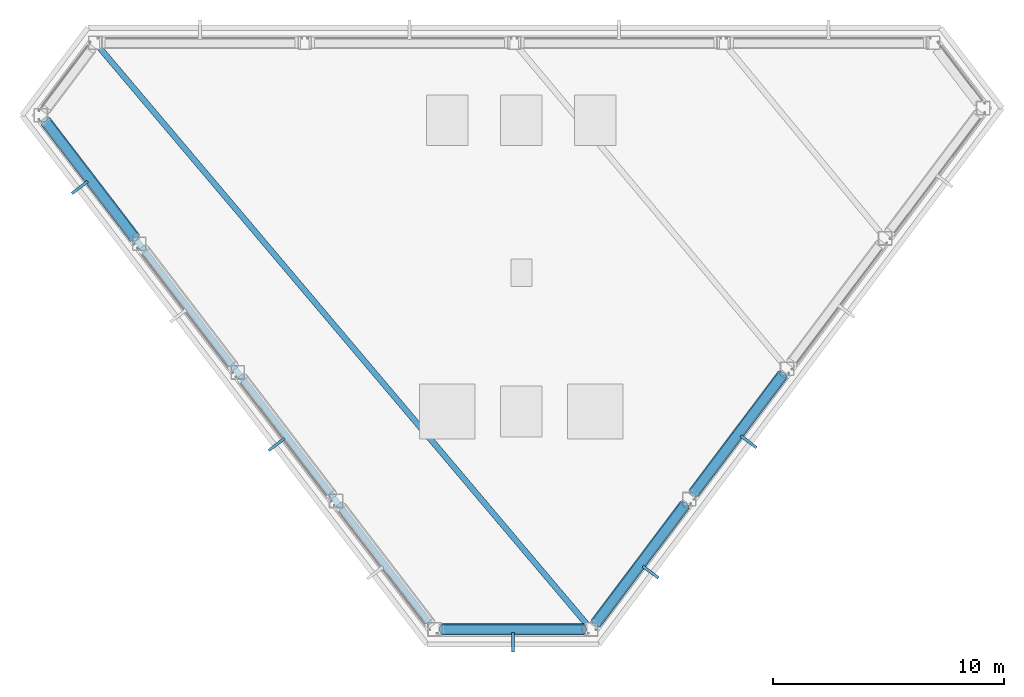
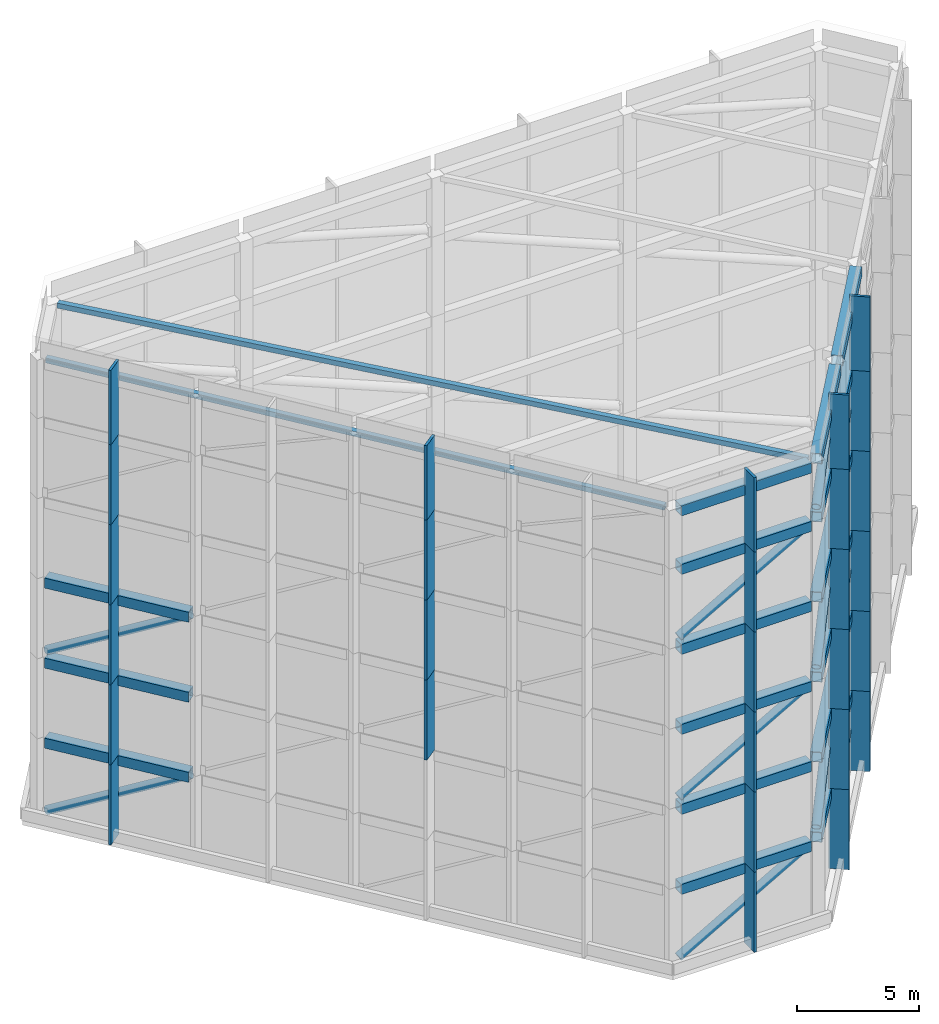
# One storey, part 2 of 6: 41 members, 21 beams, 1 element without a shape of its own.
"""IFC4 building model written with IfcOpenShell, lengths in metres."""

import ifcopenshell
import ifcopenshell.guid

model = None  # the IFC model being written
_history = None  # IfcOwnerHistory: only IFC2X3 demands one
_inside = {}  # id of a spatial element -> (the spatial element, [elements in it])
_under = {}  # id of a project, library or spatial element -> (it, [spatial elements below it])
_declared = {}  # id of a project -> (the project, [libraries it declares])
_typed = {}  # id of a type object -> (the type object, [elements of that type])
_made_of = {}  # id of a material, layer set ... -> (it, [elements and type objects made of it])


def new_model(schema):
    """Start an empty IFC model of exactly this schema.

    Asked for "IFC4X3", IfcOpenShell would pick the latest addendum, in which some entities
    have other attributes; the version numbers below select the first issue.
    IFC2X3 requires an IfcOwnerHistory on every rooted entity: one is made here for all.
    """
    global model, _history
    if schema == "IFC4X3":
        model = ifcopenshell.file(schema_version=(4, 3, 0, 0))
    else:
        model = ifcopenshell.file(schema=schema)
    _inside.clear()
    _under.clear()
    _declared.clear()
    _typed.clear()
    _made_of.clear()
    _history = None
    if model.schema == "IFC2X3":
        org = make("IfcOrganization", Name="unknown")
        user = make(
            "IfcPersonAndOrganization",
            ThePerson=make("IfcPerson", FamilyName="unknown"),
            TheOrganization=org,
        )
        app = make(
            "IfcApplication",
            ApplicationDeveloper=org,
            Version="unknown",
            ApplicationFullName="unknown",
            ApplicationIdentifier="unknown",
        )
        _history = make(
            "IfcOwnerHistory",
            OwningUser=user,
            OwningApplication=app,
            ChangeAction="ADDED",
            CreationDate=0,
        )
    return model


def make(cls, **values):
    """One entity of the class cls with the attributes given. An attribute that is None is left unset."""
    return model.create_entity(
        cls, **{name: value for name, value in values.items() if value is not None}
    )


def rooted(cls, **values):
    """An entity with a GlobalId (a new one), such as an element, a storey or a relation."""
    return make(cls, GlobalId=ifcopenshell.guid.new(), OwnerHistory=_history, **values)


def si_unit(unit_type, name, prefix=None):
    """IfcSIUnit, for example si_unit("LENGTHUNIT", "METRE", prefix="MILLI")."""
    return make("IfcSIUnit", UnitType=unit_type, Prefix=prefix, Name=name)


def assignment(units):
    """IfcUnitAssignment: the units of a project."""
    return None if units is None else make("IfcUnitAssignment", Units=units)


def point(xyz):
    """IfcCartesianPoint."""
    return None if xyz is None else make("IfcCartesianPoint", Coordinates=xyz)


def direction(xyz):
    """IfcDirection."""
    return None if xyz is None else make("IfcDirection", DirectionRatios=xyz)


def frame(location, z_axis=None, x_axis=None):
    """IfcAxis2Placement3D, a coordinate frame: its origin and axes. An axis left out is left unset."""
    return make(
        "IfcAxis2Placement3D",
        Location=point(location),
        Axis=direction(z_axis),
        RefDirection=direction(x_axis),
    )


def frame_2d(location, x_axis=None):
    """IfcAxis2Placement2D, a coordinate frame in the plane: its origin and x axis."""
    return make(
        "IfcAxis2Placement2D", Location=point(location), RefDirection=direction(x_axis)
    )


def origin():
    """The frame at (0, 0, 0) with its axes left unset."""
    return frame((0.0, 0.0, 0.0))


def origin_2d():
    """The frame at (0, 0) in the plane with its x axis left unset."""
    return frame_2d((0.0, 0.0))


def place(relative_to, where):
    """IfcLocalPlacement: puts the frame where relative to a parent placement (None: the world)."""
    return make(
        "IfcLocalPlacement", PlacementRelTo=relative_to, RelativePlacement=where
    )


def context(
    kind, dimensions, precision=None, world=None, true_north=None, identifier=None
):
    """IfcGeometricRepresentationContext, for example the 3D "Model" context."""
    return make(
        "IfcGeometricRepresentationContext",
        ContextIdentifier=identifier,
        ContextType=kind,
        CoordinateSpaceDimension=dimensions,
        Precision=precision,
        WorldCoordinateSystem=world,
        TrueNorth=true_north,
    )


def subcontext(parent, identifier, kind, view, scale=None):
    """IfcGeometricRepresentationSubContext, for example "Body" below "Model"."""
    return make(
        "IfcGeometricRepresentationSubContext",
        ContextIdentifier=identifier,
        ContextType=kind,
        ParentContext=parent,
        TargetScale=scale,
        TargetView=view,
    )


def project(units=None, contexts=None):
    """IfcProject with its units and contexts."""
    return rooted(
        "IfcProject",
        Name="project",
        RepresentationContexts=contexts,
        UnitsInContext=assignment(units),
    )


def spatial(cls, under=None, at=None, **own):
    """A site, building, storey or space (cls), placed at a placement, below another one or the project."""
    s = rooted(cls, ObjectPlacement=at, **own)
    if under is not None:
        _under.setdefault(under.id(), (under, []))[1].append(s)
    return s


def profile(cls, at=None, kind="AREA", **sizes):
    """A parametric profile (cls). Its sizes go by their IFC names, for example OverallWidth=200.0."""
    return make(cls, ProfileType=kind, Position=at, **sizes)


def rectangle(**sizes):
    """IfcRectangleProfileDef."""
    return profile("IfcRectangleProfileDef", **sizes)


def hollow_rectangle(**sizes):
    """IfcRectangleHollowProfileDef."""
    return profile("IfcRectangleHollowProfileDef", **sizes)


def hollow_circle(**sizes):
    """IfcCircleHollowProfileDef."""
    return profile("IfcCircleHollowProfileDef", **sizes)


def extrude(swept, where, along, depth):
    """IfcExtrudedAreaSolid: the profile swept, set in the frame where, extruded along a direction by depth."""
    return make(
        "IfcExtrudedAreaSolid",
        SweptArea=swept,
        Position=where,
        ExtrudedDirection=direction(along),
        Depth=depth,
    )


def shape(context_of_items, identifier, shape_type, items):
    """IfcShapeRepresentation: the items that make up one representation, for example the "Body"."""
    return make(
        "IfcShapeRepresentation",
        ContextOfItems=context_of_items,
        RepresentationIdentifier=identifier,
        RepresentationType=shape_type,
        Items=items,
    )


def material(Name=None, Category=None):
    """IfcMaterial."""
    return make("IfcMaterial", Name=Name, Category=Category)


def layer(
    of_material, thickness, ventilated=None, Name=None, Category=None, Priority=None
):
    """IfcMaterialLayer: one layer of a wall or slab, of a material (None: an air gap)."""
    return make(
        "IfcMaterialLayer",
        Material=of_material,
        LayerThickness=thickness,
        IsVentilated=ventilated,
        Name=Name,
        Category=Category,
        Priority=Priority,
    )


def layer_set(layers, Name=None):
    """IfcMaterialLayerSet."""
    return make("IfcMaterialLayerSet", MaterialLayers=layers, LayerSetName=Name)


def material_profile(
    of_material, cross_section, Name=None, Category=None, Priority=None
):
    """IfcMaterialProfile: a cross section and its material."""
    return make(
        "IfcMaterialProfile",
        Name=Name,
        Material=of_material,
        Profile=cross_section,
        Priority=Priority,
        Category=Category,
    )


def profile_set(profiles, Name=None, composite=None):
    """IfcMaterialProfileSet."""
    return make(
        "IfcMaterialProfileSet",
        Name=Name,
        MaterialProfiles=profiles,
        CompositeProfile=composite,
    )


def made_of(thing, what):
    """Note that an element or type object is made of a material, layer set ...; save() writes the relation."""
    if what is not None:
        _made_of.setdefault(what.id(), (what, []))[1].append(thing)
    return thing


def type_object(cls, material=None, **own):
    """A type object (cls), such as IfcWallType, which elements share."""
    return made_of(rooted(cls, **own), material)


def element(
    cls,
    number,
    at=None,
    inside=None,
    cuts=None,
    type_object=None,
    material=None,
    context=None,
    identifier="Body",
    shape_type=None,
    held_by="IfcProductDefinitionShape",
    body=None,
    shapes=None,
    **own,
):
    """One element of the class cls, such as IfcWall. Its Tag is "e" and its number.

    at: its placement. inside: the storey or other place that contains it. cuts: it is an
    opening in that element (IfcRelVoidsElement). A single representation is given by context,
    identifier, shape_type and body (its items); several are given by shapes. held_by: the class
    of the entity that holds the representations. save() writes the other relations.
    """
    e = rooted(cls, Tag="e%d" % number, ObjectPlacement=at, **own)
    if body is not None:
        shapes = [shape(context, identifier, shape_type, body)]
    if shapes is not None:
        e.Representation = make(held_by, Representations=shapes)
    if inside is not None:
        _inside.setdefault(inside.id(), (inside, []))[1].append(e)
    if cuts is not None:
        rooted(
            "IfcRelVoidsElement", RelatingBuildingElement=cuts, RelatedOpeningElement=e
        )
    if type_object is not None:
        _typed.setdefault(type_object.id(), (type_object, []))[1].append(e)
    return made_of(e, material)


def aggregate(whole, parts):
    """IfcRelAggregates: a whole, such as a stair, and the parts it consists of."""
    return rooted("IfcRelAggregates", RelatingObject=whole, RelatedObjects=parts)


def save(model, path):
    """Write the relations noted so far, then the file.

    IfcRelAggregates (storeys below a building ...), IfcRelContainedInSpatialStructure (elements
    in a storey), IfcRelDefinesByType, IfcRelAssociatesMaterial and IfcRelDeclares: one each for
    every whole, place, type object, material and project.
    """
    for whole, parts in _under.values():
        aggregate(whole, parts)
    for where, things in _inside.values():
        rooted(
            "IfcRelContainedInSpatialStructure",
            RelatedElements=things,
            RelatingStructure=where,
        )
    for kind, things in _typed.values():
        rooted("IfcRelDefinesByType", RelatedObjects=things, RelatingType=kind)
    for what, things in _made_of.values():
        rooted("IfcRelAssociatesMaterial", RelatedObjects=things, RelatingMaterial=what)
    for by, libraries in _declared.values():
        rooted("IfcRelDeclares", RelatingContext=by, RelatedDefinitions=libraries)
    model.write(path)


model = new_model("IFC4")

# Units and contexts
model_context = context("Model", 3, precision=1e-05, world=origin(), true_north=direction((0.0, 1.0)))
body_context = subcontext(model_context, "Body", "Model", "MODEL_VIEW")
ifc_project = project(units=[si_unit("LENGTHUNIT", "METRE"), si_unit("AREAUNIT", "SQUARE_METRE"), si_unit("VOLUMEUNIT", "CUBIC_METRE"), si_unit("PLANEANGLEUNIT", "RADIAN"), si_unit("MASSUNIT", "GRAM", prefix="KILO")], contexts=[model_context])

# Site, building, storey
site_placement = place(None, origin())
site = spatial("IfcSite", under=ifc_project, at=site_placement, CompositionType="ELEMENT")
building_placement = place(site_placement, origin())
building = spatial("IfcBuilding", under=site, at=building_placement, Name="Zarrinselat Tower", CompositionType="ELEMENT")
storey_placement = place(building_placement, frame((0.0, 0.0, 303.280029296875)))
storey = spatial("IfcBuildingStorey", under=building, at=storey_placement, Name="RF", CompositionType="ELEMENT", Elevation=303.280029296875)

# Beams
ifc_material_1 = material(Name="Steel S355J2", Category="steel")
ifc_material_profile_1 = material_profile(ifc_material_1, hollow_rectangle(XDim=0.5, YDim=0.5, WallThickness=0.02490234375, at=origin_2d()), Name="SHS 500x500x25")
ifc_profile_set_1 = profile_set([ifc_material_profile_1], Name="Steel S355J2")
beam_type = type_object("IfcBeamType", Name="BM-CROWN-RING", PredefinedType="BEAM", material=ifc_profile_set_1)
beam_1_placement = place(storey_placement, frame((17.805908203125, 43.367431640625, 3.75), z_axis=(0.60789466781, -0.794017677919, 0.0), x_axis=(0.794017677919, 0.60789466781, 0.0)))
element("IfcBeam", 1, at=beam_1_placement, inside=storey, type_object=beam_type, Name="RF CROWN FRAME Tier 1 Ring Beam R06", PredefinedType="BEAM", context=body_context, shape_type="SweptSolid", body=[
    extrude(hollow_rectangle(XDim=0.5, YDim=0.5, WallThickness=0.02490234375, at=origin_2d()), origin(), (0.0, 0.0, 1.0), 6.37890625),
])
beam_2_placement = place(storey_placement, frame((34.956787109375, 21.373291015625, 3.75), z_axis=(1.0, 0.0, 0.0), x_axis=(0.0, 1.0, 0.0)))
element("IfcBeam", 2, at=beam_2_placement, inside=storey, type_object=beam_type, Name="RF CROWN FRAME Tier 1 Ring Beam R10", PredefinedType="BEAM", context=body_context, shape_type="SweptSolid", body=[
    extrude(hollow_rectangle(XDim=0.5, YDim=0.5, WallThickness=0.02490234375, at=origin_2d()), origin(), (0.0, 0.0, 1.0), 6.15478515625),
])
beam_3_placement = place(storey_placement, frame((41.611083984375, 21.622802734375, 3.75), z_axis=(0.600850368573, 0.799361516828, 0.0), x_axis=(-0.799361516828, 0.600850368573, 0.0)))
element("IfcBeam", 3, at=beam_3_placement, inside=storey, type_object=beam_type, Name="RF CROWN FRAME Tier 1 Ring Beam R11", PredefinedType="BEAM", context=body_context, shape_type="SweptSolid", body=[
    extrude(hollow_rectangle(XDim=0.5, YDim=0.5, WallThickness=0.02490234375, at=origin_2d()), origin(), (0.0, 0.0, 1.0), 6.428466796875),
])
beam_4_placement = place(storey_placement, frame((45.8486328125, 27.26025390625, 3.75), z_axis=(0.600832128251, 0.799375227075, 0.0), x_axis=(-0.799375227075, 0.600832128251, 0.0)))
element("IfcBeam", 4, at=beam_4_placement, inside=storey, type_object=beam_type, Name="RF CROWN FRAME Tier 1 Ring Beam R12", PredefinedType="BEAM", context=body_context, shape_type="SweptSolid", body=[
    extrude(hollow_rectangle(XDim=0.5, YDim=0.5, WallThickness=0.02490234375, at=origin_2d()), origin(), (0.0, 0.0, 1.0), 6.4287109375),
])
beam_5_placement = place(storey_placement, frame((17.805908203125, 43.367431640625, 7.75), z_axis=(0.60789466781, -0.794017677919, 0.0), x_axis=(0.794017677919, 0.60789466781, 0.0)))
element("IfcBeam", 5, at=beam_5_placement, inside=storey, type_object=beam_type, Name="RF CROWN FRAME Tier 2 Ring Beam R06", PredefinedType="BEAM", context=body_context, shape_type="SweptSolid", body=[
    extrude(hollow_rectangle(XDim=0.5, YDim=0.5, WallThickness=0.02490234375, at=origin_2d()), origin(), (0.0, 0.0, 1.0), 6.37890625),
])
beam_6_placement = place(storey_placement, frame((34.956787109375, 21.373291015625, 7.75), z_axis=(1.0, 0.0, 0.0), x_axis=(0.0, 1.0, 0.0)))
element("IfcBeam", 6, at=beam_6_placement, inside=storey, type_object=beam_type, Name="RF CROWN FRAME Tier 2 Ring Beam R10", PredefinedType="BEAM", context=body_context, shape_type="SweptSolid", body=[
    extrude(hollow_rectangle(XDim=0.5, YDim=0.5, WallThickness=0.02490234375, at=origin_2d()), origin(), (0.0, 0.0, 1.0), 6.15478515625),
])
beam_7_placement = place(storey_placement, frame((41.611083984375, 21.622802734375, 7.75), z_axis=(0.600850368573, 0.799361516828, 0.0), x_axis=(-0.799361516828, 0.600850368573, 0.0)))
element("IfcBeam", 7, at=beam_7_placement, inside=storey, type_object=beam_type, Name="RF CROWN FRAME Tier 2 Ring Beam R11", PredefinedType="BEAM", context=body_context, shape_type="SweptSolid", body=[
    extrude(hollow_rectangle(XDim=0.5, YDim=0.5, WallThickness=0.02490234375, at=origin_2d()), origin(), (0.0, 0.0, 1.0), 6.428466796875),
])
beam_8_placement = place(storey_placement, frame((45.8486328125, 27.26025390625, 7.75), z_axis=(0.600832128251, 0.799375227075, 0.0), x_axis=(-0.799375227075, 0.600832128251, 0.0)))
element("IfcBeam", 8, at=beam_8_placement, inside=storey, type_object=beam_type, Name="RF CROWN FRAME Tier 2 Ring Beam R12", PredefinedType="BEAM", context=body_context, shape_type="SweptSolid", body=[
    extrude(hollow_rectangle(XDim=0.5, YDim=0.5, WallThickness=0.02490234375, at=origin_2d()), origin(), (0.0, 0.0, 1.0), 6.4287109375),
])
beam_9_placement = place(storey_placement, frame((17.805908203125, 43.367431640625, 11.75), z_axis=(0.60789466781, -0.794017677919, 0.0), x_axis=(0.794017677919, 0.60789466781, 0.0)))
element("IfcBeam", 9, at=beam_9_placement, inside=storey, type_object=beam_type, Name="RF CROWN FRAME Tier 3 Ring Beam R06", PredefinedType="BEAM", context=body_context, shape_type="SweptSolid", body=[
    extrude(hollow_rectangle(XDim=0.5, YDim=0.5, WallThickness=0.02490234375, at=origin_2d()), origin(), (0.0, 0.0, 1.0), 6.37890625),
])
beam_10_placement = place(storey_placement, frame((34.956787109375, 21.373291015625, 11.75), z_axis=(1.0, 0.0, 0.0), x_axis=(0.0, 1.0, 0.0)))
element("IfcBeam", 10, at=beam_10_placement, inside=storey, type_object=beam_type, Name="RF CROWN FRAME Tier 3 Ring Beam R10", PredefinedType="BEAM", context=body_context, shape_type="SweptSolid", body=[
    extrude(hollow_rectangle(XDim=0.5, YDim=0.5, WallThickness=0.02490234375, at=origin_2d()), origin(), (0.0, 0.0, 1.0), 6.15478515625),
])
beam_11_placement = place(storey_placement, frame((41.611083984375, 21.622802734375, 11.75), z_axis=(0.600850368573, 0.799361516828, 0.0), x_axis=(-0.799361516828, 0.600850368573, 0.0)))
element("IfcBeam", 11, at=beam_11_placement, inside=storey, type_object=beam_type, Name="RF CROWN FRAME Tier 3 Ring Beam R11", PredefinedType="BEAM", context=body_context, shape_type="SweptSolid", body=[
    extrude(hollow_rectangle(XDim=0.5, YDim=0.5, WallThickness=0.02490234375, at=origin_2d()), origin(), (0.0, 0.0, 1.0), 6.428466796875),
])
beam_12_placement = place(storey_placement, frame((45.8486328125, 27.26025390625, 11.75), z_axis=(0.600832128251, 0.799375227075, 0.0), x_axis=(-0.799375227075, 0.600832128251, 0.0)))
element("IfcBeam", 12, at=beam_12_placement, inside=storey, type_object=beam_type, Name="RF CROWN FRAME Tier 3 Ring Beam R12", PredefinedType="BEAM", context=body_context, shape_type="SweptSolid", body=[
    extrude(hollow_rectangle(XDim=0.5, YDim=0.5, WallThickness=0.02490234375, at=origin_2d()), origin(), (0.0, 0.0, 1.0), 6.4287109375),
])
beam_13_placement = place(storey_placement, frame((34.956787109375, 21.373291015625, 15.75), z_axis=(1.0, 0.0, 0.0), x_axis=(0.0, 1.0, 0.0)))
element("IfcBeam", 13, at=beam_13_placement, inside=storey, type_object=beam_type, Name="RF CROWN FRAME Tier 4 Ring Beam R10", PredefinedType="BEAM", context=body_context, shape_type="SweptSolid", body=[
    extrude(hollow_rectangle(XDim=0.5, YDim=0.5, WallThickness=0.02490234375, at=origin_2d()), origin(), (0.0, 0.0, 1.0), 6.15478515625),
])
beam_14_placement = place(storey_placement, frame((41.611083984375, 21.622802734375, 15.75), z_axis=(0.600850368573, 0.799361516828, 0.0), x_axis=(-0.799361516828, 0.600850368573, 0.0)))
element("IfcBeam", 14, at=beam_14_placement, inside=storey, type_object=beam_type, Name="RF CROWN FRAME Tier 4 Ring Beam R11", PredefinedType="BEAM", context=body_context, shape_type="SweptSolid", body=[
    extrude(hollow_rectangle(XDim=0.5, YDim=0.5, WallThickness=0.02490234375, at=origin_2d()), origin(), (0.0, 0.0, 1.0), 6.428466796875),
])
beam_15_placement = place(storey_placement, frame((45.8486328125, 27.26025390625, 15.75), z_axis=(0.600832128251, 0.799375227075, 0.0), x_axis=(-0.799375227075, 0.600832128251, 0.0)))
element("IfcBeam", 15, at=beam_15_placement, inside=storey, type_object=beam_type, Name="RF CROWN FRAME Tier 4 Ring Beam R12", PredefinedType="BEAM", context=body_context, shape_type="SweptSolid", body=[
    extrude(hollow_rectangle(XDim=0.5, YDim=0.5, WallThickness=0.02490234375, at=origin_2d()), origin(), (0.0, 0.0, 1.0), 6.4287109375),
])
beam_16_placement = place(storey_placement, frame((34.956787109375, 21.373291015625, 19.75), z_axis=(1.0, 0.0, 0.0), x_axis=(0.0, 1.0, 0.0)))
element("IfcBeam", 16, at=beam_16_placement, inside=storey, type_object=beam_type, Name="RF CROWN FRAME Tier 5 Ring Beam R10", PredefinedType="BEAM", context=body_context, shape_type="SweptSolid", body=[
    extrude(hollow_rectangle(XDim=0.5, YDim=0.5, WallThickness=0.02490234375, at=origin_2d()), origin(), (0.0, 0.0, 1.0), 6.15478515625),
])
beam_17_placement = place(storey_placement, frame((41.611083984375, 21.622802734375, 19.75), z_axis=(0.600850368573, 0.799361516828, 0.0), x_axis=(-0.799361516828, 0.600850368573, 0.0)))
element("IfcBeam", 17, at=beam_17_placement, inside=storey, type_object=beam_type, Name="RF CROWN FRAME Tier 5 Ring Beam R11", PredefinedType="BEAM", context=body_context, shape_type="SweptSolid", body=[
    extrude(hollow_rectangle(XDim=0.5, YDim=0.5, WallThickness=0.02490234375, at=origin_2d()), origin(), (0.0, 0.0, 1.0), 6.428466796875),
])
beam_18_placement = place(storey_placement, frame((45.8486328125, 27.26025390625, 19.75), z_axis=(0.600832128251, 0.799375227075, 0.0), x_axis=(-0.799375227075, 0.600832128251, 0.0)))
element("IfcBeam", 18, at=beam_18_placement, inside=storey, type_object=beam_type, Name="RF CROWN FRAME Tier 5 Ring Beam R12", PredefinedType="BEAM", context=body_context, shape_type="SweptSolid", body=[
    extrude(hollow_rectangle(XDim=0.5, YDim=0.5, WallThickness=0.02490234375, at=origin_2d()), origin(), (0.0, 0.0, 1.0), 6.4287109375),
])
beam_19_placement = place(storey_placement, frame((34.956787109375, 21.373291015625, 22.669921875), z_axis=(1.0, 0.0, 0.0), x_axis=(0.0, 1.0, 0.0)))
element("IfcBeam", 19, at=beam_19_placement, inside=storey, type_object=beam_type, Name="RF CROWN FRAME Tier 6 Ring Beam R10", PredefinedType="BEAM", context=body_context, shape_type="SweptSolid", body=[
    extrude(hollow_rectangle(XDim=0.5, YDim=0.5, WallThickness=0.02490234375, at=origin_2d()), origin(), (0.0, 0.0, 1.0), 6.15478515625),
])
beam_20_placement = place(storey_placement, frame((41.611083984375, 21.622802734375, 22.669921875), z_axis=(0.600850368573, 0.799361516828, 0.0), x_axis=(-0.799361516828, 0.600850368573, 0.0)))
element("IfcBeam", 20, at=beam_20_placement, inside=storey, type_object=beam_type, Name="RF CROWN FRAME Tier 6 Ring Beam R11", PredefinedType="BEAM", context=body_context, shape_type="SweptSolid", body=[
    extrude(hollow_rectangle(XDim=0.5, YDim=0.5, WallThickness=0.02490234375, at=origin_2d()), origin(), (0.0, 0.0, 1.0), 6.428466796875),
])
beam_21_placement = place(storey_placement, frame((45.8486328125, 27.26025390625, 22.669921875), z_axis=(0.600832128251, 0.799375227075, 0.0), x_axis=(-0.799375227075, 0.600832128251, 0.0)))
element("IfcBeam", 21, at=beam_21_placement, inside=storey, type_object=beam_type, Name="RF CROWN FRAME Tier 6 Ring Beam R12", PredefinedType="BEAM", context=body_context, shape_type="SweptSolid", body=[
    extrude(hollow_rectangle(XDim=0.5, YDim=0.5, WallThickness=0.02490234375, at=origin_2d()), origin(), (0.0, 0.0, 1.0), 6.4287109375),
])

# Members
ifc_material_2 = material(Name="Steel S355J2", Category="steel")
ifc_material_profile_2 = material_profile(ifc_material_2, hollow_rectangle(XDim=0.25, YDim=0.25, WallThickness=0.012451171875, at=origin_2d()), Name="SHS 250x250x12.5")
ifc_profile_set_2 = profile_set([ifc_material_profile_2], Name="Steel S355J2")
member_type_1 = type_object("IfcMemberType", Name="MEM-CAP-PURLIN", PredefinedType="PURLIN", material=ifc_profile_set_2)
member_1_placement = place(storey_placement, frame((20.159912109375, 46.528564453125, 22.794921875), z_axis=(0.645559343508, -0.763710111239, 0.0), x_axis=(0.763710111239, 0.645559343508, 0.0)))
element("IfcMember", 22, at=member_1_placement, inside=storey, type_object=member_type_1, Name="RF CROWN FRAME Cap Purlin 4", PredefinedType="PURLIN", context=body_context, shape_type="SweptSolid", body=[
    extrude(hollow_rectangle(XDim=0.25, YDim=0.25, WallThickness=0.012451171875, at=origin_2d()), origin(), (0.0, 0.0, 1.0), 32.648193359375),
])
member_2_placement = place(storey_placement, frame((17.79248046875, 43.385009765625, 22.794921875), z_axis=(0.607900596047, -0.794013139265, 0.0), x_axis=(0.794013139265, 0.607900596047, 0.0)))
element("IfcMember", 23, at=member_2_placement, inside=storey, type_object=member_type_1, Name="RF CROWN FRAME Cap Purlin 5", PredefinedType="PURLIN", context=body_context, shape_type="SweptSolid", body=[
    extrude(hollow_rectangle(XDim=0.25, YDim=0.25, WallThickness=0.012451171875, at=origin_2d()), origin(), (0.0, 0.0, 1.0), 27.43212890625),
])
ifc_material_3 = material(Name="Steel S355J2", Category="steel")
ifc_material_profile_3 = material_profile(ifc_material_3, hollow_circle(Radius=0.203125, WallThickness=0.01611328125, at=origin_2d()), Name="CHS 406.4x16")
ifc_profile_set_3 = profile_set([ifc_material_profile_3], Name="Steel S355J2")
member_type_2 = type_object("IfcMemberType", Name="MEM-CROWN-BRACE", PredefinedType="BRACE", material=ifc_profile_set_3)
member_3_placement = place(storey_placement, frame((17.805908203125, 43.367431640625, 0.25), z_axis=(0.532942438899, -0.696116844262, 0.481033986279), x_axis=(0.794017677919, 0.60789466781, 0.0)))
element("IfcMember", 24, at=member_3_placement, inside=storey, type_object=member_type_2, Name="RF CROWN FRAME Tier 1 Diagonal Brace B06", PredefinedType="BRACE", context=body_context, shape_type="SweptSolid", body=[
    extrude(hollow_circle(Radius=0.203125, WallThickness=0.01611328125, at=origin_2d()), origin(), (0.0, 0.0, 1.0), 7.27587890625),
])
member_4_placement = place(storey_placement, frame((34.956787109375, 21.373291015625, 0.25), z_axis=(0.869276754804, 0.0, 0.494325726175), x_axis=(0.0, 1.0, 0.0)))
element("IfcMember", 25, at=member_4_placement, inside=storey, type_object=member_type_2, Name="RF CROWN FRAME Tier 1 Diagonal Brace B10", PredefinedType="BRACE", context=body_context, shape_type="SweptSolid", body=[
    extrude(hollow_circle(Radius=0.203125, WallThickness=0.01611328125, at=origin_2d()), origin(), (0.0, 0.0, 1.0), 7.080322265625),
])
for number, where, z_axis, x_axis, name in (
    (26, (45.8486328125, 27.26025390625, 0.25), (0.527693545655, 0.702068228462, 0.478162863947), (-0.799375227075, 0.600832128251, 0.0), "RF CROWN FRAME Tier 1 Diagonal Brace B12"),
    (27, (41.611083984375, 21.622802734375, 4.25), (0.527705902679, 0.70205131405, 0.478174061109), (-0.799361516828, 0.600850368573, 0.0), "RF CROWN FRAME Tier 2 Diagonal Brace B11"),
):
    element("IfcMember", number, at=place(storey_placement, frame(where, z_axis=z_axis, x_axis=x_axis)), inside=storey, type_object=member_type_2, Name=name, PredefinedType="BRACE", context=body_context, shape_type="SweptSolid", body=[
        extrude(hollow_circle(Radius=0.203125, WallThickness=0.01611328125, at=origin_2d()), origin(), (0.0, 0.0, 1.0), 7.319580078125),
    ])
member_5_placement = place(storey_placement, frame((17.805908203125, 43.367431640625, 8.25), z_axis=(0.532942438899, -0.696116844262, 0.481033986279), x_axis=(0.794017677919, 0.60789466781, 0.0)))
element("IfcMember", 28, at=member_5_placement, inside=storey, type_object=member_type_2, Name="RF CROWN FRAME Tier 3 Diagonal Brace B06", PredefinedType="BRACE", context=body_context, shape_type="SweptSolid", body=[
    extrude(hollow_circle(Radius=0.203125, WallThickness=0.01611328125, at=origin_2d()), origin(), (0.0, 0.0, 1.0), 7.27587890625),
])
member_6_placement = place(storey_placement, frame((34.956787109375, 21.373291015625, 8.25), z_axis=(0.869276754804, 0.0, 0.494325726175), x_axis=(0.0, 1.0, 0.0)))
element("IfcMember", 29, at=member_6_placement, inside=storey, type_object=member_type_2, Name="RF CROWN FRAME Tier 3 Diagonal Brace B10", PredefinedType="BRACE", context=body_context, shape_type="SweptSolid", body=[
    extrude(hollow_circle(Radius=0.203125, WallThickness=0.01611328125, at=origin_2d()), origin(), (0.0, 0.0, 1.0), 7.080322265625),
])
for number, where, z_axis, x_axis, name in (
    (30, (45.8486328125, 27.26025390625, 8.25), (0.527693545655, 0.702068228462, 0.478162863947), (-0.799375227075, 0.600832128251, 0.0), "RF CROWN FRAME Tier 3 Diagonal Brace B12"),
    (31, (41.611083984375, 21.622802734375, 12.25), (0.527705902679, 0.70205131405, 0.478174061109), (-0.799361516828, 0.600850368573, 0.0), "RF CROWN FRAME Tier 4 Diagonal Brace B11"),
):
    element("IfcMember", number, at=place(storey_placement, frame(where, z_axis=z_axis, x_axis=x_axis)), inside=storey, type_object=member_type_2, Name=name, PredefinedType="BRACE", context=body_context, shape_type="SweptSolid", body=[
        extrude(hollow_circle(Radius=0.203125, WallThickness=0.01611328125, at=origin_2d()), origin(), (0.0, 0.0, 1.0), 7.319580078125),
    ])
member_7_placement = place(storey_placement, frame((34.956787109375, 21.373291015625, 16.25), z_axis=(0.869276754804, 0.0, 0.494325726175), x_axis=(0.0, 1.0, 0.0)))
element("IfcMember", 32, at=member_7_placement, inside=storey, type_object=member_type_2, Name="RF CROWN FRAME Tier 5 Diagonal Brace B10", PredefinedType="BRACE", context=body_context, shape_type="SweptSolid", body=[
    extrude(hollow_circle(Radius=0.203125, WallThickness=0.01611328125, at=origin_2d()), origin(), (0.0, 0.0, 1.0), 7.080322265625),
])
member_8_placement = place(storey_placement, frame((45.8486328125, 27.26025390625, 16.25), z_axis=(0.527693545655, 0.702068228462, 0.478162863947), x_axis=(-0.799375227075, 0.600832128251, 0.0)))
element("IfcMember", 33, at=member_8_placement, inside=storey, type_object=member_type_2, Name="RF CROWN FRAME Tier 5 Diagonal Brace B12", PredefinedType="BRACE", context=body_context, shape_type="SweptSolid", body=[
    extrude(hollow_circle(Radius=0.203125, WallThickness=0.01611328125, at=origin_2d()), origin(), (0.0, 0.0, 1.0), 7.319580078125),
])
member_9_placement = place(storey_placement, frame((41.611083984375, 21.622802734375, 20.25), z_axis=(0.562327396706, 0.748111184241, 0.352303214472), x_axis=(-0.799361516828, 0.600850368573, 0.0)))
element("IfcMember", 34, at=member_9_placement, inside=storey, type_object=member_type_2, Name="RF CROWN FRAME Tier 6 Diagonal Brace B11", PredefinedType="BRACE", context=body_context, shape_type="SweptSolid", body=[
    extrude(hollow_circle(Radius=0.203125, WallThickness=0.01611328125, at=origin_2d()), origin(), (0.0, 0.0, 1.0), 6.868896484375),
])

# Curtain wall, members
ifc_material_4 = material(Name="Extruded Aluminium Alloy EN AW-6063 T6", Category="aluminium")
ifc_layer = layer(ifc_material_4, 0.199951171875)
ifc_layer_set = layer_set([ifc_layer], Name="Extruded Aluminium Alloy EN AW-6063 T6")
curtain_wall_type = type_object("IfcCurtainWallType", Name="CWS-BLADE", PredefinedType="NOTDEFINED", material=ifc_layer_set)
curtain_wall_placement = place(storey_placement, origin())
curtain_wall = element("IfcCurtainWall", 35, at=curtain_wall_placement, inside=storey, type_object=curtain_wall_type, Name="RF Crown Fin Assembly", PredefinedType="NOTDEFINED")
ifc_material_5 = material(Name="Honed Cream Travertine Stone", Category="masonry")
ifc_material_profile_4 = material_profile(ifc_material_5, rectangle(XDim=0.1201171875, YDim=0.85009765625, at=origin_2d()), Name="FIN 850x120")
ifc_profile_set_4 = profile_set([ifc_material_profile_4], Name="Honed Cream Travertine Stone")
member_type_3 = type_object("IfcMemberType", Name="MEM-STONE-FIN", PredefinedType="USERDEFINED", material=ifc_profile_set_4)
member_10_placement = place(storey_placement, frame((19.30029296875, 40.494384765625, 0.0), z_axis=(0.0, 0.0, 1.0), x_axis=(-0.607896295562, 0.79401643172, 0.0)))
member_10 = element("IfcMember", 36, at=member_10_placement, type_object=member_type_3, Name="RF CROWN FIN Stone Blade T1-B06", ObjectType="FIN", PredefinedType="USERDEFINED", context=body_context, shape_type="SweptSolid", body=[
    extrude(rectangle(XDim=0.1201171875, YDim=0.85009765625, at=origin_2d()), origin(), (0.0, 0.0, 1.0), 4.0),
])
member_11_placement = place(storey_placement, frame((38.0341796875, 20.813232421875, 0.0), z_axis=(0.0, 0.0, 1.0), x_axis=(-1.0, 0.0, 0.0)))
member_11 = element("IfcMember", 37, at=member_11_placement, type_object=member_type_3, Name="RF CROWN FIN Stone Blade T1-B10", ObjectType="FIN", PredefinedType="USERDEFINED", context=body_context, shape_type="SweptSolid", body=[
    extrude(rectangle(XDim=0.1201171875, YDim=0.85009765625, at=origin_2d()), origin(), (0.0, 0.0, 1.0), 4.0),
])
member_12_placement = place(storey_placement, frame((43.989990234375, 23.855712890625, 0.0), z_axis=(0.0, 0.0, 1.0), x_axis=(-0.600843612135, -0.799366595347, 0.0)))
member_12 = element("IfcMember", 38, at=member_12_placement, type_object=member_type_3, Name="RF CROWN FIN Stone Blade T1-B11", ObjectType="FIN", PredefinedType="USERDEFINED", context=body_context, shape_type="SweptSolid", body=[
    extrude(rectangle(XDim=0.1201171875, YDim=0.85009765625, at=origin_2d()), origin(), (0.0, 0.0, 1.0), 4.0),
])
member_13_placement = place(storey_placement, frame((48.2275390625, 29.4931640625, 0.0), z_axis=(0.0, 0.0, 1.0), x_axis=(-0.60085267235, -0.799359785159, 0.0)))
member_13 = element("IfcMember", 39, at=member_13_placement, type_object=member_type_3, Name="RF CROWN FIN Stone Blade T1-B12", ObjectType="FIN", PredefinedType="USERDEFINED", context=body_context, shape_type="SweptSolid", body=[
    extrude(rectangle(XDim=0.1201171875, YDim=0.85009765625, at=origin_2d()), origin(), (0.0, 0.0, 1.0), 4.0),
])
member_14_placement = place(storey_placement, frame((19.30029296875, 40.494384765625, 4.0), z_axis=(0.0, 0.0, 1.0), x_axis=(-0.607896295562, 0.79401643172, 0.0)))
member_14 = element("IfcMember", 40, at=member_14_placement, type_object=member_type_3, Name="RF CROWN FIN Stone Blade T2-B06", ObjectType="FIN", PredefinedType="USERDEFINED", context=body_context, shape_type="SweptSolid", body=[
    extrude(rectangle(XDim=0.1201171875, YDim=0.85009765625, at=origin_2d()), origin(), (0.0, 0.0, 1.0), 4.0),
])
member_15_placement = place(storey_placement, frame((38.0341796875, 20.813232421875, 4.0), z_axis=(0.0, 0.0, 1.0), x_axis=(-1.0, 0.0, 0.0)))
member_15 = element("IfcMember", 41, at=member_15_placement, type_object=member_type_3, Name="RF CROWN FIN Stone Blade T2-B10", ObjectType="FIN", PredefinedType="USERDEFINED", context=body_context, shape_type="SweptSolid", body=[
    extrude(rectangle(XDim=0.1201171875, YDim=0.85009765625, at=origin_2d()), origin(), (0.0, 0.0, 1.0), 4.0),
])
member_16_placement = place(storey_placement, frame((43.989990234375, 23.855712890625, 4.0), z_axis=(0.0, 0.0, 1.0), x_axis=(-0.600843612135, -0.799366595347, 0.0)))
member_16 = element("IfcMember", 42, at=member_16_placement, type_object=member_type_3, Name="RF CROWN FIN Stone Blade T2-B11", ObjectType="FIN", PredefinedType="USERDEFINED", context=body_context, shape_type="SweptSolid", body=[
    extrude(rectangle(XDim=0.1201171875, YDim=0.85009765625, at=origin_2d()), origin(), (0.0, 0.0, 1.0), 4.0),
])
member_17_placement = place(storey_placement, frame((48.2275390625, 29.4931640625, 4.0), z_axis=(0.0, 0.0, 1.0), x_axis=(-0.60085267235, -0.799359785159, 0.0)))
member_17 = element("IfcMember", 43, at=member_17_placement, type_object=member_type_3, Name="RF CROWN FIN Stone Blade T2-B12", ObjectType="FIN", PredefinedType="USERDEFINED", context=body_context, shape_type="SweptSolid", body=[
    extrude(rectangle(XDim=0.1201171875, YDim=0.85009765625, at=origin_2d()), origin(), (0.0, 0.0, 1.0), 4.0),
])
member_18_placement = place(storey_placement, frame((19.30029296875, 40.494384765625, 8.0), z_axis=(0.0, 0.0, 1.0), x_axis=(-0.607896295562, 0.79401643172, 0.0)))
member_18 = element("IfcMember", 44, at=member_18_placement, type_object=member_type_3, Name="RF CROWN FIN Stone Blade T3-B06", ObjectType="FIN", PredefinedType="USERDEFINED", context=body_context, shape_type="SweptSolid", body=[
    extrude(rectangle(XDim=0.1201171875, YDim=0.85009765625, at=origin_2d()), origin(), (0.0, 0.0, 1.0), 4.0),
])
member_19_placement = place(storey_placement, frame((27.814453125, 29.37353515625, 8.0), z_axis=(0.0, 0.0, 1.0), x_axis=(-0.607896295562, 0.79401643172, 0.0)))
member_19 = element("IfcMember", 45, at=member_19_placement, type_object=member_type_3, Name="RF CROWN FIN Stone Blade T3-B08", ObjectType="FIN", PredefinedType="USERDEFINED", context=body_context, shape_type="SweptSolid", body=[
    extrude(rectangle(XDim=0.1201171875, YDim=0.85009765625, at=origin_2d()), origin(), (0.0, 0.0, 1.0), 4.0),
])
member_20_placement = place(storey_placement, frame((38.0341796875, 20.813232421875, 8.0), z_axis=(0.0, 0.0, 1.0), x_axis=(-1.0, 0.0, 0.0)))
member_20 = element("IfcMember", 46, at=member_20_placement, type_object=member_type_3, Name="RF CROWN FIN Stone Blade T3-B10", ObjectType="FIN", PredefinedType="USERDEFINED", context=body_context, shape_type="SweptSolid", body=[
    extrude(rectangle(XDim=0.1201171875, YDim=0.85009765625, at=origin_2d()), origin(), (0.0, 0.0, 1.0), 4.0),
])
member_21_placement = place(storey_placement, frame((43.989990234375, 23.855712890625, 8.0), z_axis=(0.0, 0.0, 1.0), x_axis=(-0.600843612135, -0.799366595347, 0.0)))
member_21 = element("IfcMember", 47, at=member_21_placement, type_object=member_type_3, Name="RF CROWN FIN Stone Blade T3-B11", ObjectType="FIN", PredefinedType="USERDEFINED", context=body_context, shape_type="SweptSolid", body=[
    extrude(rectangle(XDim=0.1201171875, YDim=0.85009765625, at=origin_2d()), origin(), (0.0, 0.0, 1.0), 4.0),
])
member_22_placement = place(storey_placement, frame((48.2275390625, 29.4931640625, 8.0), z_axis=(0.0, 0.0, 1.0), x_axis=(-0.60085267235, -0.799359785159, 0.0)))
member_22 = element("IfcMember", 48, at=member_22_placement, type_object=member_type_3, Name="RF CROWN FIN Stone Blade T3-B12", ObjectType="FIN", PredefinedType="USERDEFINED", context=body_context, shape_type="SweptSolid", body=[
    extrude(rectangle(XDim=0.1201171875, YDim=0.85009765625, at=origin_2d()), origin(), (0.0, 0.0, 1.0), 4.0),
])
member_23_placement = place(storey_placement, frame((19.30029296875, 40.494384765625, 12.0), z_axis=(0.0, 0.0, 1.0), x_axis=(-0.607896295562, 0.79401643172, 0.0)))
member_23 = element("IfcMember", 49, at=member_23_placement, type_object=member_type_3, Name="RF CROWN FIN Stone Blade T4-B06", ObjectType="FIN", PredefinedType="USERDEFINED", context=body_context, shape_type="SweptSolid", body=[
    extrude(rectangle(XDim=0.1201171875, YDim=0.85009765625, at=origin_2d()), origin(), (0.0, 0.0, 1.0), 4.0),
])
member_24_placement = place(storey_placement, frame((27.814453125, 29.37353515625, 12.0), z_axis=(0.0, 0.0, 1.0), x_axis=(-0.607896295562, 0.79401643172, 0.0)))
member_24 = element("IfcMember", 50, at=member_24_placement, type_object=member_type_3, Name="RF CROWN FIN Stone Blade T4-B08", ObjectType="FIN", PredefinedType="USERDEFINED", context=body_context, shape_type="SweptSolid", body=[
    extrude(rectangle(XDim=0.1201171875, YDim=0.85009765625, at=origin_2d()), origin(), (0.0, 0.0, 1.0), 4.0),
])
member_25_placement = place(storey_placement, frame((38.0341796875, 20.813232421875, 12.0), z_axis=(0.0, 0.0, 1.0), x_axis=(-1.0, 0.0, 0.0)))
member_25 = element("IfcMember", 51, at=member_25_placement, type_object=member_type_3, Name="RF CROWN FIN Stone Blade T4-B10", ObjectType="FIN", PredefinedType="USERDEFINED", context=body_context, shape_type="SweptSolid", body=[
    extrude(rectangle(XDim=0.1201171875, YDim=0.85009765625, at=origin_2d()), origin(), (0.0, 0.0, 1.0), 4.0),
])
member_26_placement = place(storey_placement, frame((43.989990234375, 23.855712890625, 12.0), z_axis=(0.0, 0.0, 1.0), x_axis=(-0.600843612135, -0.799366595347, 0.0)))
member_26 = element("IfcMember", 52, at=member_26_placement, type_object=member_type_3, Name="RF CROWN FIN Stone Blade T4-B11", ObjectType="FIN", PredefinedType="USERDEFINED", context=body_context, shape_type="SweptSolid", body=[
    extrude(rectangle(XDim=0.1201171875, YDim=0.85009765625, at=origin_2d()), origin(), (0.0, 0.0, 1.0), 4.0),
])
member_27_placement = place(storey_placement, frame((48.2275390625, 29.4931640625, 12.0), z_axis=(0.0, 0.0, 1.0), x_axis=(-0.60085267235, -0.799359785159, 0.0)))
member_27 = element("IfcMember", 53, at=member_27_placement, type_object=member_type_3, Name="RF CROWN FIN Stone Blade T4-B12", ObjectType="FIN", PredefinedType="USERDEFINED", context=body_context, shape_type="SweptSolid", body=[
    extrude(rectangle(XDim=0.1201171875, YDim=0.85009765625, at=origin_2d()), origin(), (0.0, 0.0, 1.0), 4.0),
])
member_28_placement = place(storey_placement, frame((19.30029296875, 40.494384765625, 16.0), z_axis=(0.0, 0.0, 1.0), x_axis=(-0.607896295562, 0.79401643172, 0.0)))
member_28 = element("IfcMember", 54, at=member_28_placement, type_object=member_type_3, Name="RF CROWN FIN Stone Blade T5-B06", ObjectType="FIN", PredefinedType="USERDEFINED", context=body_context, shape_type="SweptSolid", body=[
    extrude(rectangle(XDim=0.1201171875, YDim=0.85009765625, at=origin_2d()), origin(), (0.0, 0.0, 1.0), 4.0),
])
member_29_placement = place(storey_placement, frame((27.814453125, 29.37353515625, 16.0), z_axis=(0.0, 0.0, 1.0), x_axis=(-0.607896295562, 0.79401643172, 0.0)))
member_29 = element("IfcMember", 55, at=member_29_placement, type_object=member_type_3, Name="RF CROWN FIN Stone Blade T5-B08", ObjectType="FIN", PredefinedType="USERDEFINED", context=body_context, shape_type="SweptSolid", body=[
    extrude(rectangle(XDim=0.1201171875, YDim=0.85009765625, at=origin_2d()), origin(), (0.0, 0.0, 1.0), 4.0),
])
member_30_placement = place(storey_placement, frame((38.0341796875, 20.813232421875, 16.0), z_axis=(0.0, 0.0, 1.0), x_axis=(-1.0, 0.0, 0.0)))
member_30 = element("IfcMember", 56, at=member_30_placement, type_object=member_type_3, Name="RF CROWN FIN Stone Blade T5-B10", ObjectType="FIN", PredefinedType="USERDEFINED", context=body_context, shape_type="SweptSolid", body=[
    extrude(rectangle(XDim=0.1201171875, YDim=0.85009765625, at=origin_2d()), origin(), (0.0, 0.0, 1.0), 4.0),
])
member_31_placement = place(storey_placement, frame((43.989990234375, 23.855712890625, 16.0), z_axis=(0.0, 0.0, 1.0), x_axis=(-0.600843612135, -0.799366595347, 0.0)))
member_31 = element("IfcMember", 57, at=member_31_placement, type_object=member_type_3, Name="RF CROWN FIN Stone Blade T5-B11", ObjectType="FIN", PredefinedType="USERDEFINED", context=body_context, shape_type="SweptSolid", body=[
    extrude(rectangle(XDim=0.1201171875, YDim=0.85009765625, at=origin_2d()), origin(), (0.0, 0.0, 1.0), 4.0),
])
member_32_placement = place(storey_placement, frame((48.2275390625, 29.4931640625, 16.0), z_axis=(0.0, 0.0, 1.0), x_axis=(-0.60085267235, -0.799359785159, 0.0)))
member_32 = element("IfcMember", 58, at=member_32_placement, type_object=member_type_3, Name="RF CROWN FIN Stone Blade T5-B12", ObjectType="FIN", PredefinedType="USERDEFINED", context=body_context, shape_type="SweptSolid", body=[
    extrude(rectangle(XDim=0.1201171875, YDim=0.85009765625, at=origin_2d()), origin(), (0.0, 0.0, 1.0), 4.0),
])
member_33_placement = place(storey_placement, frame((19.30029296875, 40.494384765625, 20.0), z_axis=(0.0, 0.0, 1.0), x_axis=(-0.607896295562, 0.79401643172, 0.0)))
member_33 = element("IfcMember", 59, at=member_33_placement, type_object=member_type_3, Name="RF CROWN FIN Stone Blade T6-B06", ObjectType="FIN", PredefinedType="USERDEFINED", context=body_context, shape_type="SweptSolid", body=[
    extrude(rectangle(XDim=0.1201171875, YDim=0.85009765625, at=origin_2d()), origin(), (0.0, 0.0, 1.0), 3.719970703125),
])
member_34_placement = place(storey_placement, frame((27.814453125, 29.37353515625, 20.0), z_axis=(0.0, 0.0, 1.0), x_axis=(-0.607896295562, 0.79401643172, 0.0)))
member_34 = element("IfcMember", 60, at=member_34_placement, type_object=member_type_3, Name="RF CROWN FIN Stone Blade T6-B08", ObjectType="FIN", PredefinedType="USERDEFINED", context=body_context, shape_type="SweptSolid", body=[
    extrude(rectangle(XDim=0.1201171875, YDim=0.85009765625, at=origin_2d()), origin(), (0.0, 0.0, 1.0), 3.719970703125),
])
member_35_placement = place(storey_placement, frame((38.0341796875, 20.813232421875, 20.0), z_axis=(0.0, 0.0, 1.0), x_axis=(-1.0, 0.0, 0.0)))
member_35 = element("IfcMember", 61, at=member_35_placement, type_object=member_type_3, Name="RF CROWN FIN Stone Blade T6-B10", ObjectType="FIN", PredefinedType="USERDEFINED", context=body_context, shape_type="SweptSolid", body=[
    extrude(rectangle(XDim=0.1201171875, YDim=0.85009765625, at=origin_2d()), origin(), (0.0, 0.0, 1.0), 3.719970703125),
])
member_36_placement = place(storey_placement, frame((43.989990234375, 23.855712890625, 20.0), z_axis=(0.0, 0.0, 1.0), x_axis=(-0.600843612135, -0.799366595347, 0.0)))
member_36 = element("IfcMember", 62, at=member_36_placement, type_object=member_type_3, Name="RF CROWN FIN Stone Blade T6-B11", ObjectType="FIN", PredefinedType="USERDEFINED", context=body_context, shape_type="SweptSolid", body=[
    extrude(rectangle(XDim=0.1201171875, YDim=0.85009765625, at=origin_2d()), origin(), (0.0, 0.0, 1.0), 3.719970703125),
])
member_37_placement = place(storey_placement, frame((48.2275390625, 29.4931640625, 20.0), z_axis=(0.0, 0.0, 1.0), x_axis=(-0.60085267235, -0.799359785159, 0.0)))
member_37 = element("IfcMember", 63, at=member_37_placement, type_object=member_type_3, Name="RF CROWN FIN Stone Blade T6-B12", ObjectType="FIN", PredefinedType="USERDEFINED", context=body_context, shape_type="SweptSolid", body=[
    extrude(rectangle(XDim=0.1201171875, YDim=0.85009765625, at=origin_2d()), origin(), (0.0, 0.0, 1.0), 3.719970703125),
])
aggregate(curtain_wall, [member_10, member_11, member_12, member_13, member_14, member_15, member_16, member_17, member_18, member_19, member_20, member_21, member_22, member_23, member_24, member_25, member_26, member_27, member_28, member_29, member_30, member_31, member_32, member_33, member_34, member_35, member_36, member_37])

save(model, "model.ifc")
